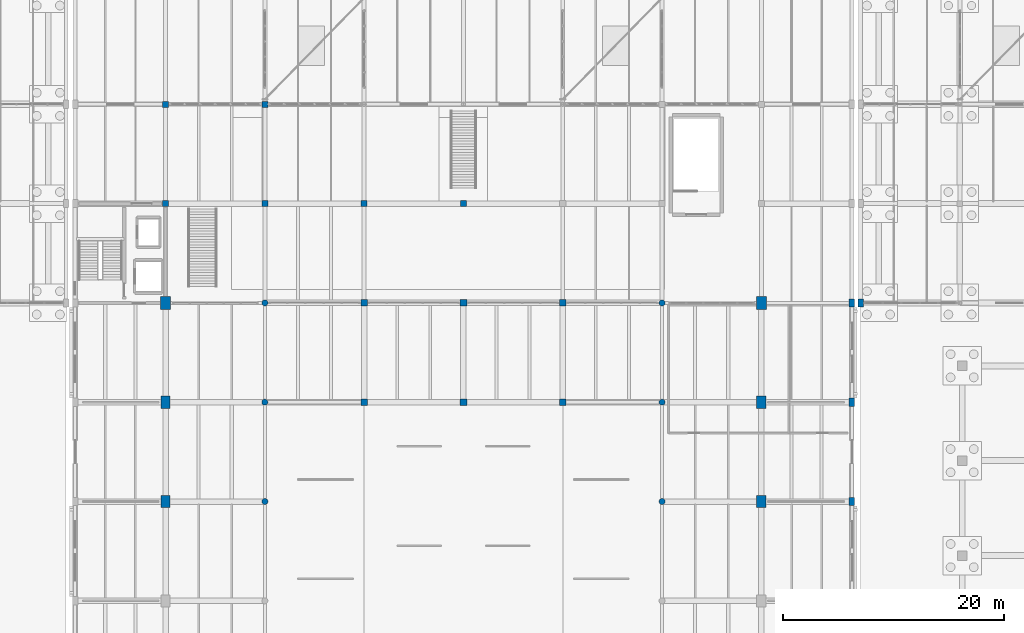
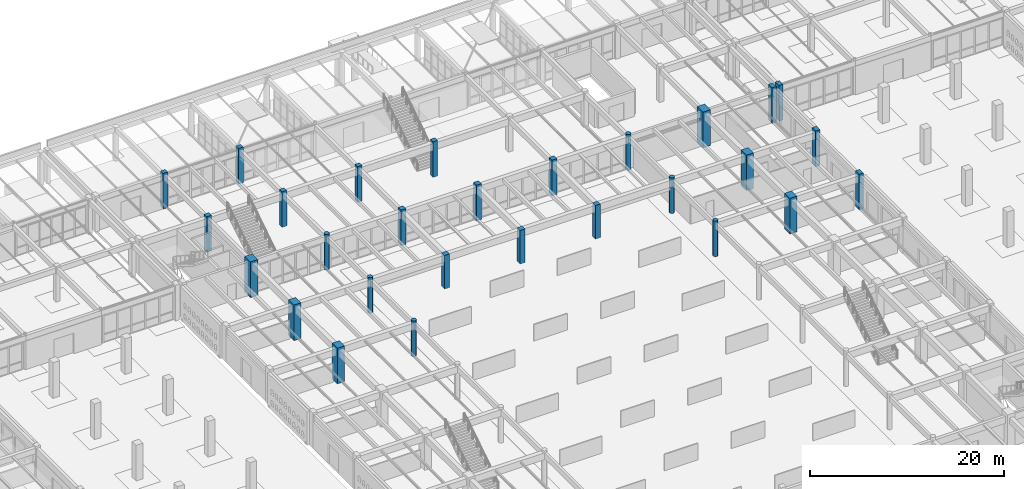
# One storey, part 15 of 186: 28 columns.
"""IFC4 building model written with IfcOpenShell, lengths in metres."""

from ifc_helpers import new_model, si_unit, direction, frame, origin, origin_2d, place, context, subcontext, project, spatial, rectangle, circle, extrude, material, material_profile, profile_set, type_object, element, save


model = new_model("IFC4")

# Units and contexts
model_context = context("Model", 3, precision=1e-05, world=origin(), true_north=direction((0.0, 1.0)))
body_context = subcontext(model_context, "Body", "Model", "MODEL_VIEW")
ifc_project = project(units=[si_unit("LENGTHUNIT", "METRE"), si_unit("AREAUNIT", "SQUARE_METRE"), si_unit("VOLUMEUNIT", "CUBIC_METRE"), si_unit("PLANEANGLEUNIT", "RADIAN"), si_unit("MASSUNIT", "GRAM", prefix="KILO")], contexts=[model_context])

# Site, building, storey
site_placement = place(None, origin())
site = spatial("IfcSite", under=ifc_project, at=site_placement, CompositionType="ELEMENT")
building_placement = place(site_placement, origin())
building = spatial("IfcBuilding", under=site, at=building_placement, Name="Ornek Quay Market", CompositionType="ELEMENT")
storey_placement = place(building_placement, origin())
storey = spatial("IfcBuildingStorey", under=building, at=storey_placement, Name="L00", CompositionType="ELEMENT", Elevation=0.0)

# Columns
ifc_material_1 = material(Name="Concrete C45/55", Category="concrete")
ifc_material_profile_1 = material_profile(ifc_material_1, rectangle(XDim=0.85009765625, YDim=1.10009765625, at=origin_2d()), Name="RC 850x1100", Category="concrete")
ifc_profile_set_1 = profile_set([ifc_material_profile_1], Name="Concrete C45/55")
column_type_1 = type_object("IfcColumnType", Name="COL-ARCH-850x1100", PredefinedType="COLUMN", material=ifc_profile_set_1)
for number, where, z_axis, x_axis, name in (
    (1, (63.0, 74.0, 0.0), (0.0, 0.0, 1.0), (1.0, 0.0, 0.0), "Column C-AR2-013"),
    (2, (63.0, 83.0, 0.0), (0.0, 0.0, 1.0), (1.0, 0.0, 0.0), "Column C-AR2-016"),
    (3, (117.0, 74.0, 0.0), (0.0, 0.0, 1.0), (1.0, 0.0, 0.0), "Column C-AR2-031"),
    (4, (117.0, 83.0, 0.0), (0.0, 0.0, 1.0), (1.0, 0.0, 0.0), "Column C-AR2-034"),
):
    element("IfcColumn", number, at=place(storey_placement, frame(where, z_axis=z_axis, x_axis=x_axis)), inside=storey, type_object=column_type_1, Name=name, PredefinedType="COLUMN", context=body_context, shape_type="SweptSolid", body=[
        extrude(rectangle(XDim=0.85009765625, YDim=1.10009765625, at=origin_2d()), origin(), (0.0, 0.0, 1.0), 4.5),
    ])
ifc_material_profile_2 = material_profile(ifc_material_1, rectangle(XDim=0.89990234375, YDim=1.199951171875, at=origin_2d()), Name="RC 900x1200", Category="concrete")
ifc_profile_set_2 = profile_set([ifc_material_profile_2], Name="Concrete C45/55")
column_type_2 = type_object("IfcColumnType", Name="COL-ARCH-900x1200", PredefinedType="COLUMN", material=ifc_profile_set_2)
for number, where, z_axis, x_axis, name in (
    (5, (63.0, 92.0, 0.0), (0.0, 0.0, 1.0), (1.0, 0.0, 0.0), "Column C-AR1-012"),
    (6, (117.0, 92.0, 0.0), (0.0, 0.0, 1.0), (1.0, 0.0, 0.0), "Column C-AR1-026"),
):
    element("IfcColumn", number, at=place(storey_placement, frame(where, z_axis=z_axis, x_axis=x_axis)), inside=storey, type_object=column_type_2, Name=name, PredefinedType="COLUMN", context=body_context, shape_type="SweptSolid", body=[
        extrude(rectangle(XDim=0.89990234375, YDim=1.199951171875, at=origin_2d()), origin(), (0.0, 0.0, 1.0), 4.5),
    ])
ifc_material_2 = material(Name="Concrete C40/50", Category="concrete")
ifc_material_profile_3 = material_profile(ifc_material_2, circle(Radius=0.27490234375, at=origin_2d()), Name="RC D550", Category="concrete")
ifc_profile_set_3 = profile_set([ifc_material_profile_3], Name="Concrete C40/50")
column_type_3 = type_object("IfcColumnType", Name="COL-GAL-D550", PredefinedType="COLUMN", material=ifc_profile_set_3)
for number, where, z_axis, x_axis, name in (
    (7, (72.0, 74.0, 0.0), (0.0, 0.0, 1.0), (1.0, 0.0, 0.0), "Column C-GD1-011"),
    (8, (72.0, 83.0, 0.0), (0.0, 0.0, 1.0), (1.0, 0.0, 0.0), "Column C-GD1-013"),
    (9, (72.0, 92.0, 0.0), (0.0, 0.0, 1.0), (1.0, 0.0, 0.0), "Column C-GD1-015"),
    (10, (108.0, 74.0, 0.0), (0.0, 0.0, 1.0), (1.0, 0.0, 0.0), "Column C-GD1-027"),
    (11, (108.0, 83.0, 0.0), (0.0, 0.0, 1.0), (1.0, 0.0, 0.0), "Column C-GD1-029"),
    (12, (108.0, 92.0, 0.0), (0.0, 0.0, 1.0), (1.0, 0.0, 0.0), "Column C-GD1-031"),
):
    element("IfcColumn", number, at=place(storey_placement, frame(where, z_axis=z_axis, x_axis=x_axis)), inside=storey, type_object=column_type_3, Name=name, PredefinedType="COLUMN", context=body_context, shape_type="SweptSolid", body=[
        extrude(circle(Radius=0.27490234375, at=origin_2d()), origin(), (0.0, 0.0, 1.0), 4.5),
    ])
ifc_material_profile_4 = material_profile(ifc_material_2, rectangle(XDim=0.5, YDim=0.75, at=origin_2d()), Name="RC 500x750", Category="concrete")
ifc_profile_set_4 = profile_set([ifc_material_profile_4], Name="Concrete C40/50")
column_type_4 = type_object("IfcColumnType", Name="COL-MJ-500x750", PredefinedType="COLUMN", material=ifc_profile_set_4)
for number, where, z_axis, x_axis, name in (
    (13, (125.199951171875, 74.0, 0.0), (0.0, 0.0, 1.0), (1.0, 0.0, 0.0), "Column C-MJ1-046"),
    (14, (125.199951171875, 83.0, 0.0), (0.0, 0.0, 1.0), (1.0, 0.0, 0.0), "Column C-MJ1-048"),
    (15, (125.199951171875, 92.0, 0.0), (0.0, 0.0, 1.0), (1.0, 0.0, 0.0), "Column C-MJ1-050"),
    (16, (126.0, 92.0, 0.0), (0.0, 0.0, 1.0), (1.0, 0.0, 0.0), "Column C-MJ1-058"),
):
    element("IfcColumn", number, at=place(storey_placement, frame(where, z_axis=z_axis, x_axis=x_axis)), inside=storey, type_object=column_type_4, Name=name, PredefinedType="COLUMN", context=body_context, shape_type="SweptSolid", body=[
        extrude(rectangle(XDim=0.5, YDim=0.75, at=origin_2d()), origin(), (0.0, 0.0, 1.0), 4.5),
    ])
ifc_material_profile_5 = material_profile(ifc_material_2, rectangle(XDim=0.550048828125, YDim=0.550048828125, at=origin_2d()), Name="RC 550x550", Category="concrete")
ifc_profile_set_5 = profile_set([ifc_material_profile_5], Name="Concrete C40/50")
column_type_5 = type_object("IfcColumnType", Name="COL-RC-550x550", PredefinedType="COLUMN", material=ifc_profile_set_5)
for number, where, z_axis, x_axis, name in (
    (17, (63.0, 101.0, 0.0), (0.0, 0.0, 1.0), (1.0, 0.0, 0.0), "Column C-55-045"),
    (18, (63.0, 110.0, 0.0), (0.0, 0.0, 1.0), (1.0, 0.0, 0.0), "Column C-55-046"),
    (19, (72.0, 101.0, 0.0), (0.0, 0.0, 1.0), (1.0, 0.0, 0.0), "Column C-55-047"),
    (20, (72.0, 110.0, 0.0), (0.0, 0.0, 1.0), (1.0, 0.0, 0.0), "Column C-55-048"),
    (21, (81.0, 101.0, 0.0), (0.0, 0.0, 1.0), (1.0, 0.0, 0.0), "Column C-55-051"),
    (22, (90.0, 101.0, 0.0), (0.0, 0.0, 1.0), (1.0, 0.0, 0.0), "Column C-55-054"),
):
    element("IfcColumn", number, at=place(storey_placement, frame(where, z_axis=z_axis, x_axis=x_axis)), inside=storey, type_object=column_type_5, Name=name, PredefinedType="COLUMN", context=body_context, shape_type="SweptSolid", body=[
        extrude(rectangle(XDim=0.550048828125, YDim=0.550048828125, at=origin_2d()), origin(), (0.0, 0.0, 1.0), 4.5),
    ])
ifc_material_profile_6 = material_profile(ifc_material_2, rectangle(XDim=0.60009765625, YDim=0.60009765625, at=origin_2d()), Name="RC 600x600", Category="concrete")
ifc_profile_set_6 = profile_set([ifc_material_profile_6], Name="Concrete C40/50")
column_type_6 = type_object("IfcColumnType", Name="COL-RC-600x600", PredefinedType="COLUMN", material=ifc_profile_set_6)
column_1_placement = place(storey_placement, frame((81.0, 83.0, 0.0), z_axis=(0.0, 0.0, 1.0), x_axis=(1.0, 0.0, 0.0)))
element("IfcColumn", 23, at=column_1_placement, inside=storey, type_object=column_type_6, Name="Column C-60-008", PredefinedType="COLUMN", context=body_context, shape_type="SweptSolid", body=[
    extrude(rectangle(XDim=0.60009765625, YDim=0.60009765625, at=origin_2d()), origin(), (0.0, 0.0, 1.0), 4.239990234375),
])
column_2_placement = place(storey_placement, frame((81.0, 92.0, 0.0), z_axis=(0.0, 0.0, 1.0), x_axis=(1.0, 0.0, 0.0)))
element("IfcColumn", 24, at=column_2_placement, inside=storey, type_object=column_type_6, Name="Column C-60-009", PredefinedType="COLUMN", context=body_context, shape_type="SweptSolid", body=[
    extrude(rectangle(XDim=0.60009765625, YDim=0.60009765625, at=origin_2d()), origin(), (0.0, 0.0, 1.0), 4.5),
])
column_3_placement = place(storey_placement, frame((90.0, 83.0, 0.0), z_axis=(0.0, 0.0, 1.0), x_axis=(1.0, 0.0, 0.0)))
element("IfcColumn", 25, at=column_3_placement, inside=storey, type_object=column_type_6, Name="Column C-60-013", PredefinedType="COLUMN", context=body_context, shape_type="SweptSolid", body=[
    extrude(rectangle(XDim=0.60009765625, YDim=0.60009765625, at=origin_2d()), origin(), (0.0, 0.0, 1.0), 4.239990234375),
])
column_4_placement = place(storey_placement, frame((90.0, 92.0, 0.0), z_axis=(0.0, 0.0, 1.0), x_axis=(1.0, 0.0, 0.0)))
element("IfcColumn", 26, at=column_4_placement, inside=storey, type_object=column_type_6, Name="Column C-60-014", PredefinedType="COLUMN", context=body_context, shape_type="SweptSolid", body=[
    extrude(rectangle(XDim=0.60009765625, YDim=0.60009765625, at=origin_2d()), origin(), (0.0, 0.0, 1.0), 4.5),
])
column_5_placement = place(storey_placement, frame((99.0, 83.0, 0.0), z_axis=(0.0, 0.0, 1.0), x_axis=(1.0, 0.0, 0.0)))
element("IfcColumn", 27, at=column_5_placement, inside=storey, type_object=column_type_6, Name="Column C-60-018", PredefinedType="COLUMN", context=body_context, shape_type="SweptSolid", body=[
    extrude(rectangle(XDim=0.60009765625, YDim=0.60009765625, at=origin_2d()), origin(), (0.0, 0.0, 1.0), 4.239990234375),
])
column_6_placement = place(storey_placement, frame((99.0, 92.0, 0.0), z_axis=(0.0, 0.0, 1.0), x_axis=(1.0, 0.0, 0.0)))
element("IfcColumn", 28, at=column_6_placement, inside=storey, type_object=column_type_6, Name="Column C-60-019", PredefinedType="COLUMN", context=body_context, shape_type="SweptSolid", body=[
    extrude(rectangle(XDim=0.60009765625, YDim=0.60009765625, at=origin_2d()), origin(), (0.0, 0.0, 1.0), 4.5),
])

save(model, "model.ifc")
